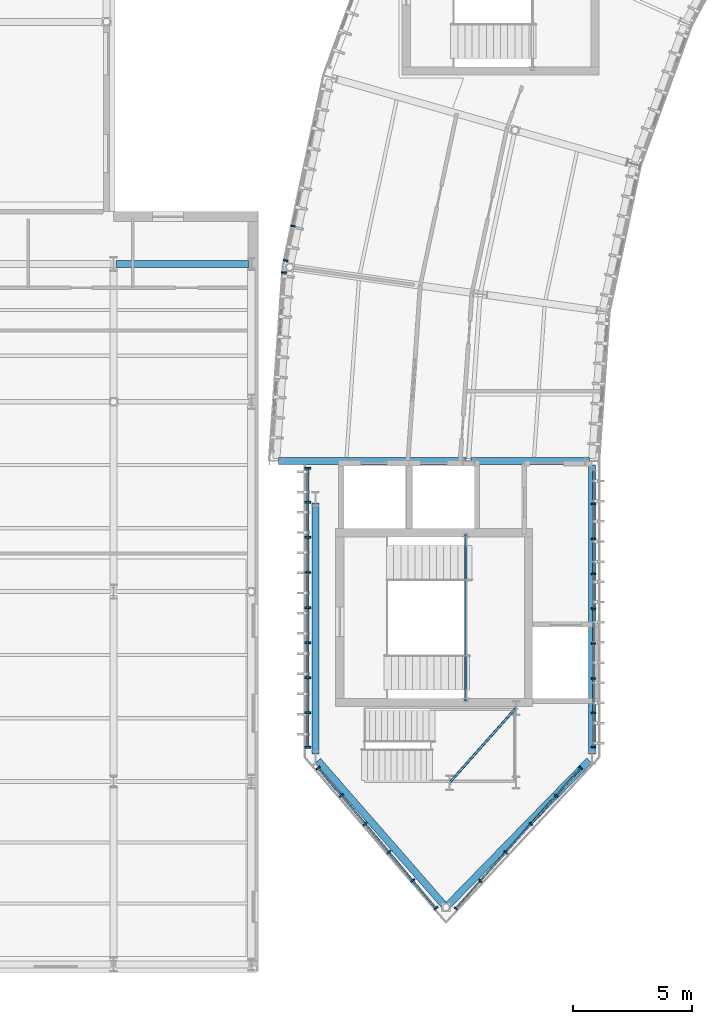
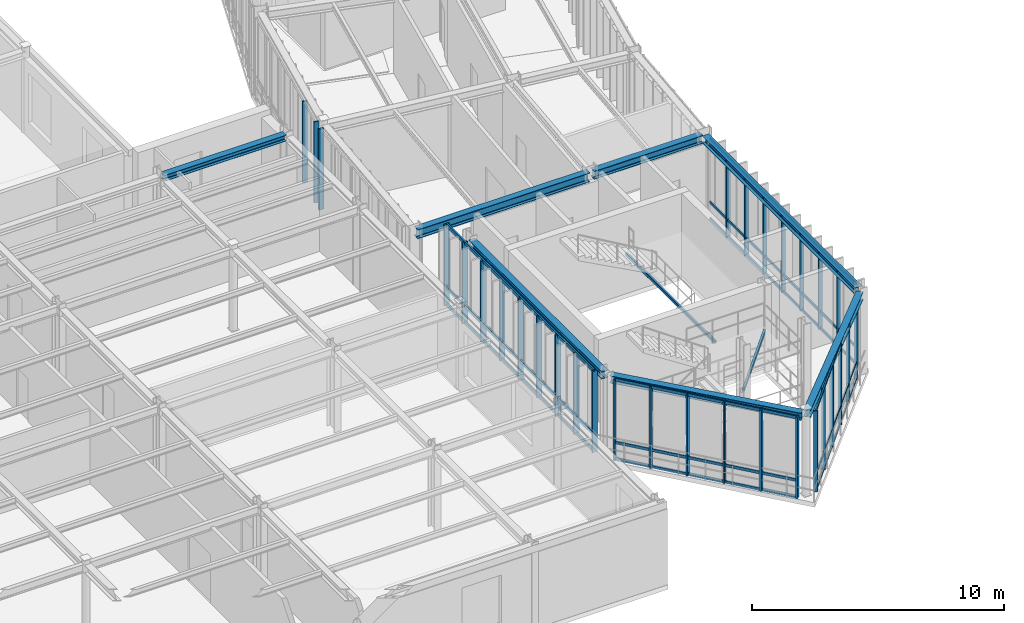
# One storey, part 18 of 148: 46 members, 7 beams, 6 elements without a shape of their own.
"""IFC4 building model written with IfcOpenShell, lengths in metres."""

from ifc_helpers import new_model, si_unit, direction, frame, origin, origin_2d, place, context, subcontext, project, spatial, rectangle, hollow_rectangle, i_section, extrude, material, layer, layer_set, material_profile, profile_set, type_object, element, aggregate, save


model = new_model("IFC4")

# Units and contexts
model_context = context("Model", 3, precision=1e-05, world=origin(), true_north=direction((0.0, 1.0)))
body_context = subcontext(model_context, "Body", "Model", "MODEL_VIEW")
ifc_project = project(units=[si_unit("LENGTHUNIT", "METRE"), si_unit("AREAUNIT", "SQUARE_METRE"), si_unit("VOLUMEUNIT", "CUBIC_METRE"), si_unit("PLANEANGLEUNIT", "RADIAN"), si_unit("MASSUNIT", "GRAM", prefix="KILO"), si_unit("THERMODYNAMICTEMPERATUREUNIT", "KELVIN"), si_unit("POWERUNIT", "WATT")], contexts=[model_context])

# Site, building, storey
site_placement = place(None, origin())
site = spatial("IfcSite", under=ifc_project, at=site_placement, CompositionType="ELEMENT")
building_placement = place(site_placement, origin())
building = spatial("IfcBuilding", under=site, at=building_placement, Name="Solvatero Civic Police Headquarters", CompositionType="ELEMENT")
storey_placement = place(building_placement, frame((0.0, 0.0, 5.10009765625)))
storey = spatial("IfcBuildingStorey", under=building, at=storey_placement, Name="L01", CompositionType="ELEMENT", Elevation=5.10009765625)

# Beams
ifc_material_1 = material(Name="Steel S355", Category="steel")
ifc_material_profile_1 = material_profile(ifc_material_1, i_section(OverallWidth=0.300048828125, OverallDepth=0.2900390625, WebThickness=0.008544921875, FlangeThickness=0.013916015625, FilletRadius=0.027099609375, at=origin_2d()), Name="HEA 300")
ifc_profile_set_1 = profile_set([ifc_material_profile_1], Name="Steel S355")
beam_type_1 = type_object("IfcBeamType", Name="BM-ST-HEA300", PredefinedType="SPANDREL", material=ifc_profile_set_1)
beam_1_placement = place(storey_placement, frame((28.60009765625, 34.300048828125, 3.8349609375), z_axis=(1.0, 0.0, 0.0), x_axis=(0.0, 1.0, 0.0)))
element("IfcBeam", 1, at=beam_1_placement, inside=storey, type_object=beam_type_1, Name="Perimeter / radial spandrel beam BM-R2-L01-V4-GX-4-5", PredefinedType="SPANDREL", context=body_context, shape_type="SweptSolid", body=[
    extrude(i_section(OverallWidth=0.300048828125, OverallDepth=0.2900390625, WebThickness=0.008544921875, FlangeThickness=0.013916015625, FilletRadius=0.027099609375, at=origin_2d()), origin(), (0.0, 0.0, 1.0), 5.599853515625),
])
ifc_material_profile_2 = material_profile(ifc_material_1, i_section(OverallWidth=0.300048828125, OverallDepth=0.35009765625, WebThickness=0.010009765625, FlangeThickness=0.017578125, FilletRadius=0.027099609375, at=origin_2d()), Name="HEA 360")
ifc_profile_set_2 = profile_set([ifc_material_profile_2], Name="Steel S355")
beam_type_2 = type_object("IfcBeamType", Name="BM-ST-HEA360", PredefinedType="SPANDREL", material=ifc_profile_set_2)
beam_2_placement = place(storey_placement, frame((37.0, 24.239990234375, 3.804931640625), z_axis=(0.0, -1.0, 0.0), x_axis=(1.0, 0.0, 0.0)))
element("IfcBeam", 2, at=beam_2_placement, inside=storey, type_object=beam_type_2, Name="Perimeter / radial spandrel beam BM-R2-L01-PROW-W", PredefinedType="SPANDREL", context=body_context, shape_type="SweptSolid", body=[
    extrude(i_section(OverallWidth=0.300048828125, OverallDepth=0.35009765625, WebThickness=0.010009765625, FlangeThickness=0.017578125, FilletRadius=0.027099609375, at=origin_2d()), origin(), (0.0, 0.0, 1.0), 10.580078125),
])
beam_3_placement = place(storey_placement, frame((37.105224609375, 13.37939453125, 3.804931640625), z_axis=(0.657663937616, -0.753311452959, 0.0), x_axis=(0.753311452959, 0.657663937616, 0.0)))
element("IfcBeam", 3, at=beam_3_placement, inside=storey, type_object=beam_type_2, Name="Perimeter / radial spandrel beam BM-R2-L01-PROW-SW", PredefinedType="SPANDREL", context=body_context, shape_type="SweptSolid", body=[
    extrude(i_section(OverallWidth=0.300048828125, OverallDepth=0.35009765625, WebThickness=0.010009765625, FlangeThickness=0.017578125, FilletRadius=0.027099609375, at=origin_2d()), origin(), (0.0, 0.0, 1.0), 8.04296875),
])
beam_4_placement = place(storey_placement, frame((42.61181640625, 7.314453125, 3.804931640625), z_axis=(0.698523042205, 0.715587562433, 0.0), x_axis=(-0.715587562433, 0.698523042205, 0.0)))
element("IfcBeam", 4, at=beam_4_placement, inside=storey, type_object=beam_type_2, Name="Perimeter / radial spandrel beam BM-R2-L01-PROW-SE", PredefinedType="SPANDREL", context=body_context, shape_type="SweptSolid", body=[
    extrude(i_section(OverallWidth=0.300048828125, OverallDepth=0.35009765625, WebThickness=0.010009765625, FlangeThickness=0.017578125, FilletRadius=0.027099609375, at=origin_2d()), origin(), (0.0, 0.0, 1.0), 8.48388671875),
])
beam_5_placement = place(storey_placement, frame((48.64990234375, 13.659912109375, 3.804931640625), z_axis=(0.0, 1.0, 0.0), x_axis=(-1.0, 0.0, 0.0)))
element("IfcBeam", 5, at=beam_5_placement, inside=storey, type_object=beam_type_2, Name="Perimeter / radial spandrel beam BM-R2-L01-PROW-E", PredefinedType="SPANDREL", context=body_context, shape_type="SweptSolid", body=[
    extrude(i_section(OverallWidth=0.300048828125, OverallDepth=0.35009765625, WebThickness=0.010009765625, FlangeThickness=0.017578125, FilletRadius=0.027099609375, at=origin_2d()), origin(), (0.0, 0.0, 1.0), 12.18017578125),
])
ifc_material_profile_3 = material_profile(ifc_material_1, i_section(OverallWidth=0.300048828125, OverallDepth=0.389892578125, WebThickness=0.010986328125, FlangeThickness=0.01904296875, FilletRadius=0.027099609375, at=origin_2d()), Name="HEA 400")
ifc_profile_set_3 = profile_set([ifc_material_profile_3], Name="Steel S355")
beam_type_3 = type_object("IfcBeamType", Name="BM-ST-HEA400", PredefinedType="BEAM", material=ifc_profile_set_3)
beam_6_placement = place(storey_placement, frame((48.550048828125, 26.0, 3.784912109375), z_axis=(-1.0, 0.0, 0.0), x_axis=(0.0, -1.0, 0.0)))
element("IfcBeam", 6, at=beam_6_placement, inside=storey, type_object=beam_type_3, Name="Primary girder BM-R2-L01-ARC-RAD1-S12", PredefinedType="BEAM", context=body_context, shape_type="SweptSolid", body=[
    extrude(i_section(OverallWidth=0.300048828125, OverallDepth=0.389892578125, WebThickness=0.010986328125, FlangeThickness=0.01904296875, FilletRadius=0.027099609375, at=origin_2d()), origin(), (0.0, 0.0, 1.0), 5.0),
])
ifc_material_profile_4 = material_profile(ifc_material_1, i_section(OverallWidth=0.300048828125, OverallDepth=0.43994140625, WebThickness=0.011474609375, FlangeThickness=0.02099609375, FilletRadius=0.027099609375, at=origin_2d()), Name="HEA 450")
ifc_profile_set_4 = profile_set([ifc_material_profile_4], Name="Steel S355")
beam_type_4 = type_object("IfcBeamType", Name="BM-ST-HEA450", PredefinedType="BEAM", material=ifc_profile_set_4)
beam_7_placement = place(storey_placement, frame((43.35009765625, 26.0, 3.760009765625), z_axis=(-1.0, 0.0, 0.0), x_axis=(0.0, -1.0, 0.0)))
element("IfcBeam", 7, at=beam_7_placement, inside=storey, type_object=beam_type_4, Name="Primary girder BM-R2-L01-ARC-RAD2-S12", PredefinedType="BEAM", context=body_context, shape_type="SweptSolid", body=[
    extrude(i_section(OverallWidth=0.300048828125, OverallDepth=0.43994140625, WebThickness=0.011474609375, FlangeThickness=0.02099609375, FilletRadius=0.027099609375, at=origin_2d()), origin(), (0.0, 0.0, 1.0), 7.900146484375),
])

# Curtain wall, members
ifc_material_2 = material(Name="Anodized Bronze Aluminium", Category="aluminium")
ifc_layer_1 = layer(ifc_material_2, 0.179931640625)
ifc_layer_set_1 = layer_set([ifc_layer_1], Name="Anodized Bronze Aluminium")
curtain_wall_type_1 = type_object("IfcCurtainWallType", Name="CW-PROW-GLZ", PredefinedType="USERDEFINED", material=ifc_layer_set_1)
curtain_wall_1_placement = place(storey_placement, origin())
curtain_wall_1 = element("IfcCurtainWall", 8, at=curtain_wall_1_placement, inside=storey, type_object=curtain_wall_type_1, Name="Curtain Wall CW-R2-L01-PROW-W", ObjectType="UNITISED", PredefinedType="USERDEFINED")
ifc_material_profile_5 = material_profile(ifc_material_2, rectangle(XDim=0.080078125, YDim=0.239990234375, at=origin_2d()), Name="ALU MULLION 80x240")
ifc_profile_set_5 = profile_set([ifc_material_profile_5], Name="Anodized Bronze Aluminium")
member_type_1 = type_object("IfcMemberType", Name="CWM-140x60", PredefinedType="MULLION", material=ifc_profile_set_5)
member_1_placement = place(storey_placement, frame((36.679931640625, 25.699951171875, 0.0), z_axis=(0.0, 0.0, 1.0), x_axis=(0.0, -1.0, 0.0)))
member_1 = element("IfcMember", 9, at=member_1_placement, type_object=member_type_1, Name="CW-R2-L01-PROW-W Mullion 1", PredefinedType="MULLION", context=body_context, shape_type="SweptSolid", body=[
    extrude(rectangle(XDim=0.080078125, YDim=0.239990234375, at=origin_2d()), origin(), (0.0, 0.0, 1.0), 3.93994140625),
])
member_2_placement = place(storey_placement, frame((36.679931640625, 24.26123046875, 0.0), z_axis=(0.0, 0.0, 1.0), x_axis=(0.0, -1.0, 0.0)))
member_2 = element("IfcMember", 10, at=member_2_placement, type_object=member_type_1, Name="CW-R2-L01-PROW-W Mullion 2", PredefinedType="MULLION", context=body_context, shape_type="SweptSolid", body=[
    extrude(rectangle(XDim=0.080078125, YDim=0.239990234375, at=origin_2d()), origin(), (0.0, 0.0, 1.0), 3.93994140625),
])
member_3_placement = place(storey_placement, frame((36.679931640625, 22.782470703125, 0.0), z_axis=(0.0, 0.0, 1.0), x_axis=(0.0, -1.0, 0.0)))
member_3 = element("IfcMember", 11, at=member_3_placement, type_object=member_type_1, Name="CW-R2-L01-PROW-W Mullion 3", PredefinedType="MULLION", context=body_context, shape_type="SweptSolid", body=[
    extrude(rectangle(XDim=0.080078125, YDim=0.239990234375, at=origin_2d()), origin(), (0.0, 0.0, 1.0), 3.93994140625),
])
member_4_placement = place(storey_placement, frame((36.679931640625, 21.3037109375, 0.0), z_axis=(0.0, 0.0, 1.0), x_axis=(0.0, -1.0, 0.0)))
member_4 = element("IfcMember", 12, at=member_4_placement, type_object=member_type_1, Name="CW-R2-L01-PROW-W Mullion 4", PredefinedType="MULLION", context=body_context, shape_type="SweptSolid", body=[
    extrude(rectangle(XDim=0.080078125, YDim=0.239990234375, at=origin_2d()), origin(), (0.0, 0.0, 1.0), 3.93994140625),
])
member_5_placement = place(storey_placement, frame((36.679931640625, 19.824951171875, 0.0), z_axis=(0.0, 0.0, 1.0), x_axis=(0.0, -1.0, 0.0)))
member_5 = element("IfcMember", 13, at=member_5_placement, type_object=member_type_1, Name="CW-R2-L01-PROW-W Mullion 5", PredefinedType="MULLION", context=body_context, shape_type="SweptSolid", body=[
    extrude(rectangle(XDim=0.080078125, YDim=0.239990234375, at=origin_2d()), origin(), (0.0, 0.0, 1.0), 3.93994140625),
])
member_6_placement = place(storey_placement, frame((36.679931640625, 18.34619140625, 0.0), z_axis=(0.0, 0.0, 1.0), x_axis=(0.0, -1.0, 0.0)))
member_6 = element("IfcMember", 14, at=member_6_placement, type_object=member_type_1, Name="CW-R2-L01-PROW-W Mullion 6", PredefinedType="MULLION", context=body_context, shape_type="SweptSolid", body=[
    extrude(rectangle(XDim=0.080078125, YDim=0.239990234375, at=origin_2d()), origin(), (0.0, 0.0, 1.0), 3.93994140625),
])
member_7_placement = place(storey_placement, frame((36.679931640625, 16.867431640625, 0.0), z_axis=(0.0, 0.0, 1.0), x_axis=(0.0, -1.0, 0.0)))
member_7 = element("IfcMember", 15, at=member_7_placement, type_object=member_type_1, Name="CW-R2-L01-PROW-W Mullion 7", PredefinedType="MULLION", context=body_context, shape_type="SweptSolid", body=[
    extrude(rectangle(XDim=0.080078125, YDim=0.239990234375, at=origin_2d()), origin(), (0.0, 0.0, 1.0), 3.93994140625),
])
member_8_placement = place(storey_placement, frame((36.679931640625, 15.388671875, 0.0), z_axis=(0.0, 0.0, 1.0), x_axis=(0.0, -1.0, 0.0)))
member_8 = element("IfcMember", 16, at=member_8_placement, type_object=member_type_1, Name="CW-R2-L01-PROW-W Mullion 8", PredefinedType="MULLION", context=body_context, shape_type="SweptSolid", body=[
    extrude(rectangle(XDim=0.080078125, YDim=0.239990234375, at=origin_2d()), origin(), (0.0, 0.0, 1.0), 3.93994140625),
])
member_9_placement = place(storey_placement, frame((36.679931640625, 13.949951171875, 0.0), z_axis=(0.0, 0.0, 1.0), x_axis=(0.0, -1.0, 0.0)))
member_9 = element("IfcMember", 17, at=member_9_placement, type_object=member_type_1, Name="CW-R2-L01-PROW-W Mullion 9", PredefinedType="MULLION", context=body_context, shape_type="SweptSolid", body=[
    extrude(rectangle(XDim=0.080078125, YDim=0.239990234375, at=origin_2d()), origin(), (0.0, 0.0, 1.0), 3.93994140625),
])

curtain_wall_2_placement = place(storey_placement, origin())
curtain_wall_2 = element("IfcCurtainWall", 18, at=curtain_wall_2_placement, inside=storey, type_object=curtain_wall_type_1, Name="Curtain Wall CW-R2-L01-PROW-SE", ObjectType="UNITISED", PredefinedType="USERDEFINED")
ifc_material_profile_6 = material_profile(ifc_material_2, rectangle(XDim=0.06005859375, YDim=0.159912109375, at=origin_2d()), Name="ALU MULLION 60x160")
ifc_profile_set_6 = profile_set([ifc_material_profile_6], Name="Anodized Bronze Aluminium")
member_type_2 = type_object("IfcMemberType", Name="CWM-180x70", PredefinedType="MULLION", material=ifc_profile_set_6)
member_10_placement = place(storey_placement, frame((42.91650390625, 7.15478515625, 0.0), z_axis=(0.0, 0.0, 1.0), x_axis=(0.664656781592, 0.747148822313, 0.0)))
member_10 = element("IfcMember", 19, at=member_10_placement, type_object=member_type_2, Name="CW-R2-L01-PROW-SE Mullion 1", PredefinedType="MULLION", context=body_context, shape_type="SweptSolid", body=[
    extrude(rectangle(XDim=0.06005859375, YDim=0.159912109375, at=origin_2d()), origin(), (0.0, 0.0, 1.0), 3.93994140625),
])
member_11_placement = place(storey_placement, frame((43.9541015625, 8.32080078125, 0.0), z_axis=(0.0, 0.0, 1.0), x_axis=(0.664656781592, 0.747148822313, 0.0)))
member_11 = element("IfcMember", 20, at=member_11_placement, type_object=member_type_2, Name="CW-R2-L01-PROW-SE Mullion 2", PredefinedType="MULLION", context=body_context, shape_type="SweptSolid", body=[
    extrude(rectangle(XDim=0.06005859375, YDim=0.159912109375, at=origin_2d()), origin(), (0.0, 0.0, 1.0), 3.93994140625),
])
member_12_placement = place(storey_placement, frame((45.01806640625, 9.516845703125, 0.0), z_axis=(0.0, 0.0, 1.0), x_axis=(0.664656781592, 0.747148822313, 0.0)))
member_12 = element("IfcMember", 21, at=member_12_placement, type_object=member_type_2, Name="CW-R2-L01-PROW-SE Mullion 3", PredefinedType="MULLION", context=body_context, shape_type="SweptSolid", body=[
    extrude(rectangle(XDim=0.06005859375, YDim=0.159912109375, at=origin_2d()), origin(), (0.0, 0.0, 1.0), 3.93994140625),
])
member_13_placement = place(storey_placement, frame((46.08203125, 10.712890625, 0.0), z_axis=(0.0, 0.0, 1.0), x_axis=(0.664656781592, 0.747148822313, 0.0)))
member_13 = element("IfcMember", 22, at=member_13_placement, type_object=member_type_2, Name="CW-R2-L01-PROW-SE Mullion 4", PredefinedType="MULLION", context=body_context, shape_type="SweptSolid", body=[
    extrude(rectangle(XDim=0.06005859375, YDim=0.159912109375, at=origin_2d()), origin(), (0.0, 0.0, 1.0), 3.93994140625),
])
member_14_placement = place(storey_placement, frame((47.14599609375, 11.9091796875, 0.0), z_axis=(0.0, 0.0, 1.0), x_axis=(0.664656781592, 0.747148822313, 0.0)))
member_14 = element("IfcMember", 23, at=member_14_placement, type_object=member_type_2, Name="CW-R2-L01-PROW-SE Mullion 5", PredefinedType="MULLION", context=body_context, shape_type="SweptSolid", body=[
    extrude(rectangle(XDim=0.06005859375, YDim=0.159912109375, at=origin_2d()), origin(), (0.0, 0.0, 1.0), 3.93994140625),
])
member_15_placement = place(storey_placement, frame((48.18359375, 13.0751953125, 0.0), z_axis=(0.0, 0.0, 1.0), x_axis=(0.664656781592, 0.747148822313, 0.0)))
member_15 = element("IfcMember", 24, at=member_15_placement, type_object=member_type_2, Name="CW-R2-L01-PROW-SE Mullion 6", PredefinedType="MULLION", context=body_context, shape_type="SweptSolid", body=[
    extrude(rectangle(XDim=0.06005859375, YDim=0.159912109375, at=origin_2d()), origin(), (0.0, 0.0, 1.0), 3.93994140625),
])

curtain_wall_3_placement = place(storey_placement, origin())
curtain_wall_3 = element("IfcCurtainWall", 25, at=curtain_wall_3_placement, inside=storey, type_object=curtain_wall_type_1, Name="Curtain Wall CW-R2-L01-PROW-E", ObjectType="UNITISED", PredefinedType="USERDEFINED")
ifc_material_profile_7 = material_profile(ifc_material_2, rectangle(XDim=0.06494140625, YDim=0.179931640625, at=origin_2d()), Name="ALU MULLION 65x180")
ifc_profile_set_7 = profile_set([ifc_material_profile_7], Name="Anodized Bronze Aluminium")
member_type_3 = type_object("IfcMemberType", Name="CWM-200x75", PredefinedType="MULLION", material=ifc_profile_set_7)
member_16_placement = place(storey_placement, frame((48.719970703125, 13.949951171875, 0.0), z_axis=(0.0, 0.0, 1.0), x_axis=(0.0, 1.0, 0.0)))
member_16 = element("IfcMember", 26, at=member_16_placement, type_object=member_type_3, Name="CW-R2-L01-PROW-E Mullion 1", PredefinedType="MULLION", context=body_context, shape_type="SweptSolid", body=[
    extrude(rectangle(XDim=0.06494140625, YDim=0.179931640625, at=origin_2d()), origin(), (0.0, 0.0, 1.0), 3.93994140625),
])
member_17_placement = place(storey_placement, frame((48.719970703125, 15.37744140625, 0.0), z_axis=(0.0, 0.0, 1.0), x_axis=(0.0, 1.0, 0.0)))
member_17 = element("IfcMember", 27, at=member_17_placement, type_object=member_type_3, Name="CW-R2-L01-PROW-E Mullion 2", PredefinedType="MULLION", context=body_context, shape_type="SweptSolid", body=[
    extrude(rectangle(XDim=0.06494140625, YDim=0.179931640625, at=origin_2d()), origin(), (0.0, 0.0, 1.0), 3.93994140625),
])
member_18_placement = place(storey_placement, frame((48.719970703125, 16.844970703125, 0.0), z_axis=(0.0, 0.0, 1.0), x_axis=(0.0, 1.0, 0.0)))
member_18 = element("IfcMember", 28, at=member_18_placement, type_object=member_type_3, Name="CW-R2-L01-PROW-E Mullion 3", PredefinedType="MULLION", context=body_context, shape_type="SweptSolid", body=[
    extrude(rectangle(XDim=0.06494140625, YDim=0.179931640625, at=origin_2d()), origin(), (0.0, 0.0, 1.0), 3.93994140625),
])
member_19_placement = place(storey_placement, frame((48.719970703125, 18.3125, 0.0), z_axis=(0.0, 0.0, 1.0), x_axis=(0.0, 1.0, 0.0)))
member_19 = element("IfcMember", 29, at=member_19_placement, type_object=member_type_3, Name="CW-R2-L01-PROW-E Mullion 4", PredefinedType="MULLION", context=body_context, shape_type="SweptSolid", body=[
    extrude(rectangle(XDim=0.06494140625, YDim=0.179931640625, at=origin_2d()), origin(), (0.0, 0.0, 1.0), 3.93994140625),
])
member_20_placement = place(storey_placement, frame((48.719970703125, 19.780029296875, 0.0), z_axis=(0.0, 0.0, 1.0), x_axis=(0.0, 1.0, 0.0)))
member_20 = element("IfcMember", 30, at=member_20_placement, type_object=member_type_3, Name="CW-R2-L01-PROW-E Mullion 5", PredefinedType="MULLION", context=body_context, shape_type="SweptSolid", body=[
    extrude(rectangle(XDim=0.06494140625, YDim=0.179931640625, at=origin_2d()), origin(), (0.0, 0.0, 1.0), 3.93994140625),
])
member_21_placement = place(storey_placement, frame((48.719970703125, 21.24755859375, 0.0), z_axis=(0.0, 0.0, 1.0), x_axis=(0.0, 1.0, 0.0)))
member_21 = element("IfcMember", 31, at=member_21_placement, type_object=member_type_3, Name="CW-R2-L01-PROW-E Mullion 6", PredefinedType="MULLION", context=body_context, shape_type="SweptSolid", body=[
    extrude(rectangle(XDim=0.06494140625, YDim=0.179931640625, at=origin_2d()), origin(), (0.0, 0.0, 1.0), 3.93994140625),
])
member_22_placement = place(storey_placement, frame((48.719970703125, 22.715087890625, 0.0), z_axis=(0.0, 0.0, 1.0), x_axis=(0.0, 1.0, 0.0)))
member_22 = element("IfcMember", 32, at=member_22_placement, type_object=member_type_3, Name="CW-R2-L01-PROW-E Mullion 7", PredefinedType="MULLION", context=body_context, shape_type="SweptSolid", body=[
    extrude(rectangle(XDim=0.06494140625, YDim=0.179931640625, at=origin_2d()), origin(), (0.0, 0.0, 1.0), 3.93994140625),
])
member_23_placement = place(storey_placement, frame((48.719970703125, 24.1826171875, 0.0), z_axis=(0.0, 0.0, 1.0), x_axis=(0.0, 1.0, 0.0)))
member_23 = element("IfcMember", 33, at=member_23_placement, type_object=member_type_3, Name="CW-R2-L01-PROW-E Mullion 8", PredefinedType="MULLION", context=body_context, shape_type="SweptSolid", body=[
    extrude(rectangle(XDim=0.06494140625, YDim=0.179931640625, at=origin_2d()), origin(), (0.0, 0.0, 1.0), 3.93994140625),
])

ifc_layer_2 = layer(ifc_material_2, 0.179931640625)
ifc_layer_set_2 = layer_set([ifc_layer_2], Name="Anodized Bronze Aluminium")
curtain_wall_type_2 = type_object("IfcCurtainWallType", Name="CW-ARC-OUT", PredefinedType="USERDEFINED", material=ifc_layer_set_2)
curtain_wall_4_placement = place(storey_placement, origin())
curtain_wall_4 = element("IfcCurtainWall", 34, at=curtain_wall_4_placement, inside=storey, type_object=curtain_wall_type_2, Name="Curtain Wall CW-R2-L01-ARC-OUT-B11", ObjectType="UNITISED", PredefinedType="USERDEFINED")
ifc_material_profile_8 = material_profile(ifc_material_2, rectangle(XDim=0.070068359375, YDim=0.199951171875, at=origin_2d()), Name="ALU MULLION 70x200")
ifc_profile_set_8 = profile_set([ifc_material_profile_8], Name="Anodized Bronze Aluminium")
member_type_4 = type_object("IfcMemberType", Name="CWM-220x80", PredefinedType="MULLION", material=ifc_profile_set_8)
member_24_placement = place(storey_placement, frame((36.0556640625, 35.900390625, 0.0), z_axis=(0.0, 0.0, 1.0), x_axis=(-0.207911690818, -0.978147600734, 0.0)))
member_24 = element("IfcMember", 35, at=member_24_placement, type_object=member_type_4, Name="CW-R2-L01-ARC-OUT-B11 Mullion 5", PredefinedType="MULLION", context=body_context, shape_type="SweptSolid", body=[
    extrude(rectangle(XDim=0.070068359375, YDim=0.199951171875, at=origin_2d()), origin(), (0.0, 0.0, 1.0), 3.93994140625),
])
member_25_placement = place(storey_placement, frame((35.74658203125, 34.44677734375, 0.0), z_axis=(0.0, 0.0, 1.0), x_axis=(-0.207911690818, -0.978147600734, 0.0)))
member_25 = element("IfcMember", 36, at=member_25_placement, type_object=member_type_4, Name="CW-R2-L01-ARC-OUT-B11 Mullion 6", PredefinedType="MULLION", context=body_context, shape_type="SweptSolid", body=[
    extrude(rectangle(XDim=0.070068359375, YDim=0.199951171875, at=origin_2d()), origin(), (0.0, 0.0, 1.0), 3.93994140625),
])
aggregate(curtain_wall_4, [member_24, member_25])

curtain_wall_5_placement = place(storey_placement, origin())
curtain_wall_5 = element("IfcCurtainWall", 37, at=curtain_wall_5_placement, inside=storey, type_object=curtain_wall_type_1, Name="Curtain Wall CW-R2-L01-PROW-SW", ObjectType="UNITISED", PredefinedType="USERDEFINED")
member_26_placement = place(storey_placement, frame((37.1142578125, 13.073486328125, 0.0), z_axis=(0.0, 0.0, 1.0), x_axis=(0.643282165541, -0.765629189293, 0.0)))
member_26 = element("IfcMember", 38, at=member_26_placement, type_object=member_type_4, Name="CW-R2-L01-PROW-SW Mullion 1", PredefinedType="MULLION", context=body_context, shape_type="SweptSolid", body=[
    extrude(rectangle(XDim=0.070068359375, YDim=0.199951171875, at=origin_2d()), origin(), (0.0, 0.0, 1.0), 3.93994140625),
])
member_27_placement = place(storey_placement, frame((38.092041015625, 11.909912109375, 0.0), z_axis=(0.0, 0.0, 1.0), x_axis=(0.643282165541, -0.765629189293, 0.0)))
member_27 = element("IfcMember", 39, at=member_27_placement, type_object=member_type_4, Name="CW-R2-L01-PROW-SW Mullion 2", PredefinedType="MULLION", context=body_context, shape_type="SweptSolid", body=[
    extrude(rectangle(XDim=0.070068359375, YDim=0.199951171875, at=origin_2d()), origin(), (0.0, 0.0, 1.0), 3.93994140625),
])
member_28_placement = place(storey_placement, frame((39.095458984375, 10.715576171875, 0.0), z_axis=(0.0, 0.0, 1.0), x_axis=(0.643282165541, -0.765629189293, 0.0)))
member_28 = element("IfcMember", 40, at=member_28_placement, type_object=member_type_4, Name="CW-R2-L01-PROW-SW Mullion 3", PredefinedType="MULLION", context=body_context, shape_type="SweptSolid", body=[
    extrude(rectangle(XDim=0.070068359375, YDim=0.199951171875, at=origin_2d()), origin(), (0.0, 0.0, 1.0), 3.93994140625),
])
member_29_placement = place(storey_placement, frame((40.098876953125, 9.521240234375, 0.0), z_axis=(0.0, 0.0, 1.0), x_axis=(0.643282165541, -0.765629189293, 0.0)))
member_29 = element("IfcMember", 41, at=member_29_placement, type_object=member_type_4, Name="CW-R2-L01-PROW-SW Mullion 4", PredefinedType="MULLION", context=body_context, shape_type="SweptSolid", body=[
    extrude(rectangle(XDim=0.070068359375, YDim=0.199951171875, at=origin_2d()), origin(), (0.0, 0.0, 1.0), 3.93994140625),
])
member_30_placement = place(storey_placement, frame((41.102294921875, 8.326904296875, 0.0), z_axis=(0.0, 0.0, 1.0), x_axis=(0.643282165541, -0.765629189293, 0.0)))
member_30 = element("IfcMember", 42, at=member_30_placement, type_object=member_type_4, Name="CW-R2-L01-PROW-SW Mullion 5", PredefinedType="MULLION", context=body_context, shape_type="SweptSolid", body=[
    extrude(rectangle(XDim=0.070068359375, YDim=0.199951171875, at=origin_2d()), origin(), (0.0, 0.0, 1.0), 3.93994140625),
])
member_31_placement = place(storey_placement, frame((42.080078125, 7.1630859375, 0.0), z_axis=(0.0, 0.0, 1.0), x_axis=(0.643282165541, -0.765629189293, 0.0)))
member_31 = element("IfcMember", 43, at=member_31_placement, type_object=member_type_4, Name="CW-R2-L01-PROW-SW Mullion 6", PredefinedType="MULLION", context=body_context, shape_type="SweptSolid", body=[
    extrude(rectangle(XDim=0.070068359375, YDim=0.199951171875, at=origin_2d()), origin(), (0.0, 0.0, 1.0), 3.93994140625),
])

# Curtain wall, member
curtain_wall_6_placement = place(storey_placement, origin())
curtain_wall_6 = element("IfcCurtainWall", 44, at=curtain_wall_6_placement, inside=storey, type_object=curtain_wall_type_2, Name="Curtain Wall CW-R2-L01-ARC-OUT-B12", ObjectType="UNITISED", PredefinedType="USERDEFINED")
ifc_material_profile_9 = material_profile(ifc_material_2, rectangle(XDim=0.074951171875, YDim=0.219970703125, at=origin_2d()), Name="ALU MULLION 75x220")
ifc_profile_set_9 = profile_set([ifc_material_profile_9], Name="Anodized Bronze Aluminium")
member_type_5 = type_object("IfcMemberType", Name="CWM-250x85", PredefinedType="MULLION", material=ifc_profile_set_9)
member_32_placement = place(storey_placement, frame((35.675048828125, 33.93701171875, 0.0), z_axis=(0.0, 0.0, 1.0), x_axis=(-0.069756473744, -0.99756405026, 0.0)))
member_32 = element("IfcMember", 45, at=member_32_placement, type_object=member_type_5, Name="CW-R2-L01-ARC-OUT-B12 Mullion 1", PredefinedType="MULLION", context=body_context, shape_type="SweptSolid", body=[
    extrude(rectangle(XDim=0.074951171875, YDim=0.219970703125, at=origin_2d()), origin(), (0.0, 0.0, 1.0), 3.93994140625),
])
aggregate(curtain_wall_6, [member_32])

# Member
ifc_material_profile_10 = material_profile(ifc_material_2, rectangle(XDim=0.070068359375, YDim=0.159912109375, at=origin_2d()), Name="ALU TRANSOM 70x160")
ifc_profile_set_10 = profile_set([ifc_material_profile_10], Name="Anodized Bronze Aluminium")
member_type_6 = type_object("IfcMemberType", Name="CWT-120x55", PredefinedType="USERDEFINED", material=ifc_profile_set_10)
member_33_placement = place(storey_placement, frame((36.679931640625, 25.68994140625, 0.039794921875), z_axis=(0.0, -1.0, 0.0), x_axis=(1.0, 0.0, 0.0)))
member_33 = element("IfcMember", 46, at=member_33_placement, type_object=member_type_6, Name="CW-R2-L01-PROW-W Transom 1", ObjectType="TRANSOM", PredefinedType="USERDEFINED", context=body_context, shape_type="SweptSolid", body=[
    extrude(rectangle(XDim=0.070068359375, YDim=0.159912109375, at=origin_2d()), origin(), (0.0, 0.0, 1.0), 11.72998046875),
])

member_34_placement = place(storey_placement, frame((36.679931640625, 25.68994140625, 0.849853515625), z_axis=(0.0, -1.0, 0.0), x_axis=(1.0, 0.0, 0.0)))
member_34 = element("IfcMember", 47, at=member_34_placement, type_object=member_type_6, Name="CW-R2-L01-PROW-W Transom 2", ObjectType="TRANSOM", PredefinedType="USERDEFINED", context=body_context, shape_type="SweptSolid", body=[
    extrude(rectangle(XDim=0.070068359375, YDim=0.159912109375, at=origin_2d()), origin(), (0.0, 0.0, 1.0), 11.72998046875),
])

member_35_placement = place(storey_placement, frame((36.679931640625, 25.68994140625, 3.89990234375), z_axis=(0.0, -1.0, 0.0), x_axis=(1.0, 0.0, 0.0)))
member_35 = element("IfcMember", 48, at=member_35_placement, type_object=member_type_6, Name="CW-R2-L01-PROW-W Transom 3", ObjectType="TRANSOM", PredefinedType="USERDEFINED", context=body_context, shape_type="SweptSolid", body=[
    extrude(rectangle(XDim=0.070068359375, YDim=0.159912109375, at=origin_2d()), origin(), (0.0, 0.0, 1.0), 11.72998046875),
])

aggregate(curtain_wall_1, [member_1, member_2, member_3, member_4, member_5, member_6, member_7, member_8, member_9, member_33, member_34, member_35])

ifc_material_profile_11 = material_profile(ifc_material_2, rectangle(XDim=0.06005859375, YDim=0.110107421875, at=origin_2d()), Name="ALU TRANSOM 60x110")
ifc_profile_set_11 = profile_set([ifc_material_profile_11], Name="Anodized Bronze Aluminium")
member_type_7 = type_object("IfcMemberType", Name="CWT-140x60", PredefinedType="USERDEFINED", material=ifc_profile_set_11)
member_36_placement = place(storey_placement, frame((42.923095703125, 7.162109375, 0.039794921875), z_axis=(0.664670514565, 0.747136605359, 0.0), x_axis=(-0.747136605359, 0.664670514565, 0.0)))
member_36 = element("IfcMember", 49, at=member_36_placement, type_object=member_type_7, Name="CW-R2-L01-PROW-SE Transom 1", ObjectType="TRANSOM", PredefinedType="USERDEFINED", context=body_context, shape_type="SweptSolid", body=[
    extrude(rectangle(XDim=0.06005859375, YDim=0.110107421875, at=origin_2d()), origin(), (0.0, 0.0, 1.0), 7.904541015625),
])

member_37_placement = place(storey_placement, frame((42.923095703125, 7.162109375, 0.849853515625), z_axis=(0.664670514565, 0.747136605359, 0.0), x_axis=(-0.747136605359, 0.664670514565, 0.0)))
member_37 = element("IfcMember", 50, at=member_37_placement, type_object=member_type_7, Name="CW-R2-L01-PROW-SE Transom 2", ObjectType="TRANSOM", PredefinedType="USERDEFINED", context=body_context, shape_type="SweptSolid", body=[
    extrude(rectangle(XDim=0.06005859375, YDim=0.110107421875, at=origin_2d()), origin(), (0.0, 0.0, 1.0), 7.904541015625),
])

member_38_placement = place(storey_placement, frame((42.923095703125, 7.162109375, 3.89990234375), z_axis=(0.664670514565, 0.747136605359, 0.0), x_axis=(-0.747136605359, 0.664670514565, 0.0)))
member_38 = element("IfcMember", 51, at=member_38_placement, type_object=member_type_7, Name="CW-R2-L01-PROW-SE Transom 3", ObjectType="TRANSOM", PredefinedType="USERDEFINED", context=body_context, shape_type="SweptSolid", body=[
    extrude(rectangle(XDim=0.06005859375, YDim=0.110107421875, at=origin_2d()), origin(), (0.0, 0.0, 1.0), 7.904541015625),
])

aggregate(curtain_wall_2, [member_10, member_11, member_12, member_13, member_14, member_15, member_36, member_37, member_38])

ifc_material_profile_12 = material_profile(ifc_material_2, rectangle(XDim=0.06005859375, YDim=0.125, at=origin_2d()), Name="ALU TRANSOM 60x125")
ifc_profile_set_12 = profile_set([ifc_material_profile_12], Name="Anodized Bronze Aluminium")
member_type_8 = type_object("IfcMemberType", Name="CWT-160x65", PredefinedType="USERDEFINED", material=ifc_profile_set_12)
member_39_placement = place(storey_placement, frame((48.719970703125, 13.9599609375, 0.039794921875), z_axis=(0.0, 1.0, 0.0), x_axis=(-1.0, 0.0, 0.0)))
member_39 = element("IfcMember", 52, at=member_39_placement, type_object=member_type_8, Name="CW-R2-L01-PROW-E Transom 1", ObjectType="TRANSOM", PredefinedType="USERDEFINED", context=body_context, shape_type="SweptSolid", body=[
    extrude(rectangle(XDim=0.06005859375, YDim=0.125, at=origin_2d()), origin(), (0.0, 0.0, 1.0), 11.64013671875),
])

member_40_placement = place(storey_placement, frame((48.719970703125, 13.9599609375, 0.849853515625), z_axis=(0.0, 1.0, 0.0), x_axis=(-1.0, 0.0, 0.0)))
member_40 = element("IfcMember", 53, at=member_40_placement, type_object=member_type_8, Name="CW-R2-L01-PROW-E Transom 2", ObjectType="TRANSOM", PredefinedType="USERDEFINED", context=body_context, shape_type="SweptSolid", body=[
    extrude(rectangle(XDim=0.06005859375, YDim=0.125, at=origin_2d()), origin(), (0.0, 0.0, 1.0), 11.64013671875),
])

member_41_placement = place(storey_placement, frame((48.719970703125, 13.9599609375, 3.89990234375), z_axis=(0.0, 1.0, 0.0), x_axis=(-1.0, 0.0, 0.0)))
member_41 = element("IfcMember", 54, at=member_41_placement, type_object=member_type_8, Name="CW-R2-L01-PROW-E Transom 3", ObjectType="TRANSOM", PredefinedType="USERDEFINED", context=body_context, shape_type="SweptSolid", body=[
    extrude(rectangle(XDim=0.06005859375, YDim=0.125, at=origin_2d()), origin(), (0.0, 0.0, 1.0), 11.64013671875),
])

aggregate(curtain_wall_3, [member_16, member_17, member_18, member_19, member_20, member_21, member_22, member_23, member_39, member_40, member_41])

ifc_material_profile_13 = material_profile(ifc_material_2, rectangle(XDim=0.06494140625, YDim=0.139892578125, at=origin_2d()), Name="ALU TRANSOM 65x140")
ifc_profile_set_13 = profile_set([ifc_material_profile_13], Name="Anodized Bronze Aluminium")
member_type_9 = type_object("IfcMemberType", Name="CWT-180x70", PredefinedType="USERDEFINED", material=ifc_profile_set_13)
member_42_placement = place(storey_placement, frame((37.120849609375, 13.06591796875, 0.039794921875), z_axis=(0.643254550979, -0.765652390217, 0.0), x_axis=(0.765652390217, 0.643254550979, 0.0)))
member_42 = element("IfcMember", 55, at=member_42_placement, type_object=member_type_9, Name="CW-R2-L01-PROW-SW Transom 1", ObjectType="TRANSOM", PredefinedType="USERDEFINED", context=body_context, shape_type="SweptSolid", body=[
    extrude(rectangle(XDim=0.06494140625, YDim=0.139892578125, at=origin_2d()), origin(), (0.0, 0.0, 1.0), 7.699462890625),
])

member_43_placement = place(storey_placement, frame((37.120849609375, 13.06591796875, 0.849853515625), z_axis=(0.643254550979, -0.765652390217, 0.0), x_axis=(0.765652390217, 0.643254550979, 0.0)))
member_43 = element("IfcMember", 56, at=member_43_placement, type_object=member_type_9, Name="CW-R2-L01-PROW-SW Transom 2", ObjectType="TRANSOM", PredefinedType="USERDEFINED", context=body_context, shape_type="SweptSolid", body=[
    extrude(rectangle(XDim=0.06494140625, YDim=0.139892578125, at=origin_2d()), origin(), (0.0, 0.0, 1.0), 7.699462890625),
])

member_44_placement = place(storey_placement, frame((37.120849609375, 13.06591796875, 3.89990234375), z_axis=(0.643254550979, -0.765652390217, 0.0), x_axis=(0.765652390217, 0.643254550979, 0.0)))
member_44 = element("IfcMember", 57, at=member_44_placement, type_object=member_type_9, Name="CW-R2-L01-PROW-SW Transom 3", ObjectType="TRANSOM", PredefinedType="USERDEFINED", context=body_context, shape_type="SweptSolid", body=[
    extrude(rectangle(XDim=0.06494140625, YDim=0.139892578125, at=origin_2d()), origin(), (0.0, 0.0, 1.0), 7.699462890625),
])

aggregate(curtain_wall_5, [member_26, member_27, member_28, member_29, member_30, member_31, member_42, member_43, member_44])

# Members
ifc_material_profile_14 = material_profile(ifc_material_1, hollow_rectangle(XDim=0.10009765625, YDim=0.14990234375, WallThickness=0.00634765625, InnerFilletRadius=0.00634765625, OuterFilletRadius=0.0126953125, at=origin_2d()), Name="RHS 150x100x6.3")
ifc_profile_set_14 = profile_set([ifc_material_profile_14], Name="Steel S355")
member_type_10 = type_object("IfcMemberType", Name="MB-BR-RHS150", PredefinedType="BRACE", material=ifc_profile_set_14)
member_45_placement = place(storey_placement, frame((43.340087890625, 15.8798828125, 1.824951171875), z_axis=(0.0, 1.0, 0.0), x_axis=(-1.0, 0.0, 0.0)))
element("IfcMember", 58, at=member_45_placement, inside=storey, type_object=member_type_10, Name="ST-C1 L01 Landing Support Beam", PredefinedType="BRACE", context=body_context, shape_type="SweptSolid", body=[
    extrude(hollow_rectangle(XDim=0.10009765625, YDim=0.14990234375, WallThickness=0.00634765625, InnerFilletRadius=0.00634765625, OuterFilletRadius=0.0126953125, at=origin_2d()), origin(), (0.0, 0.0, 1.0), 7.0400390625),
])
member_46_placement = place(storey_placement, frame((42.64990234375, 12.449951171875, 1.809814453125), z_axis=(0.664353052544, 0.747418906354, 0.0), x_axis=(-0.747418906354, 0.664353052544, 0.0)))
element("IfcMember", 59, at=member_46_placement, inside=storey, type_object=member_type_10, Name="ST-PRW L01 Landing Beam", PredefinedType="BRACE", context=body_context, shape_type="SweptSolid", body=[
    extrude(hollow_rectangle(XDim=0.10009765625, YDim=0.14990234375, WallThickness=0.00634765625, InnerFilletRadius=0.00634765625, OuterFilletRadius=0.0126953125, at=origin_2d()), origin(), (0.0, 0.0, 1.0), 4.214599609375),
])

save(model, "model.ifc")
